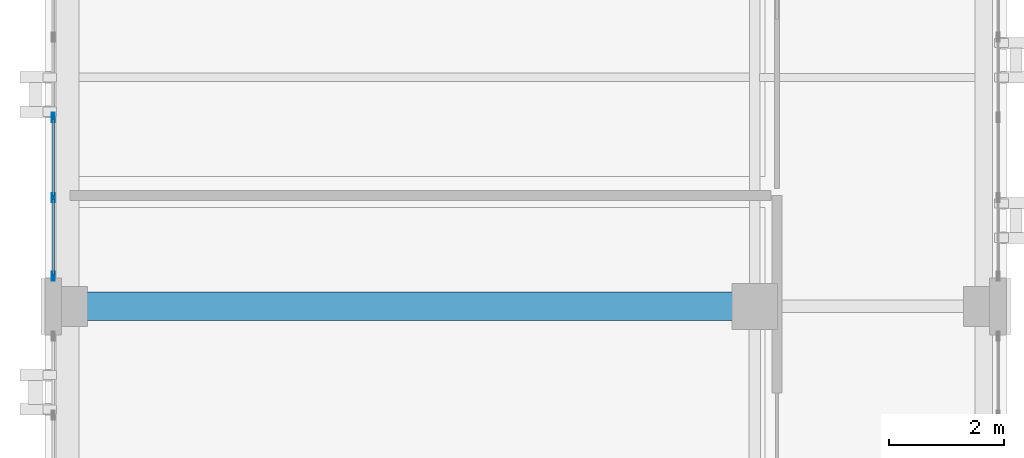
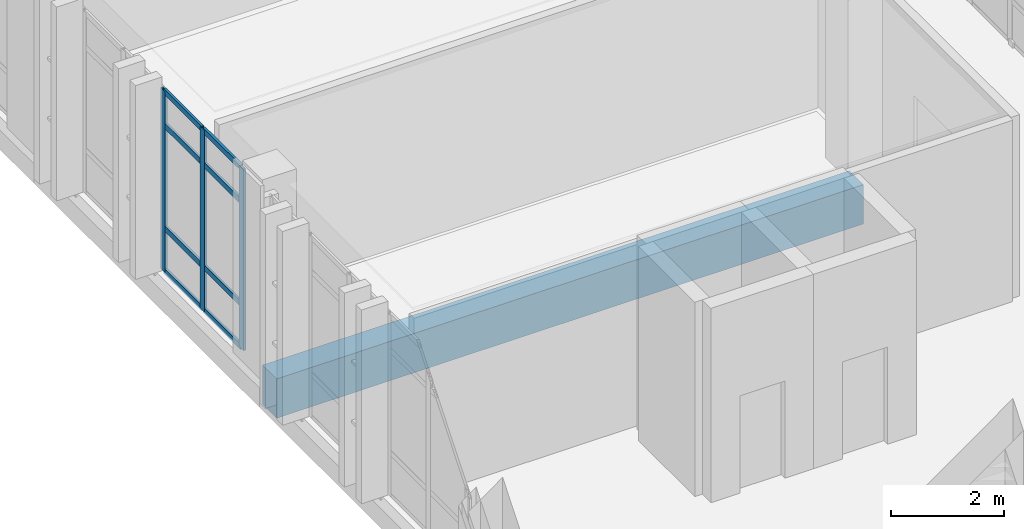
# One storey, part 30 of 165: 11 members, 1 beam, 1 element without a shape of its own.
"""IFC4 building model written with IfcOpenShell, lengths in metres."""

from ifc_helpers import new_model, si_unit, direction, frame, origin, origin_2d, place, context, subcontext, project, spatial, rectangle, hollow_rectangle, extrude, material, layer, layer_set, material_profile, profile_set, type_object, element, aggregate, save


model = new_model("IFC4")

# Units and contexts
model_context = context("Model", 3, precision=1e-05, world=origin(), true_north=direction((0.0, 1.0)))
body_context = subcontext(model_context, "Body", "Model", "MODEL_VIEW")
ifc_project = project(units=[si_unit("LENGTHUNIT", "METRE"), si_unit("AREAUNIT", "SQUARE_METRE"), si_unit("VOLUMEUNIT", "CUBIC_METRE"), si_unit("PLANEANGLEUNIT", "RADIAN"), si_unit("MASSUNIT", "GRAM", prefix="KILO")], contexts=[model_context])

# Site, building, storey
site_placement = place(None, origin())
site = spatial("IfcSite", under=ifc_project, at=site_placement, CompositionType="ELEMENT")
building_placement = place(site_placement, origin())
building = spatial("IfcBuilding", under=site, at=building_placement, Name="Qalavern Law Courts", CompositionType="ELEMENT")
storey_placement = place(building_placement, frame((0.0, 0.0, 14.39990234375)))
storey = spatial("IfcBuildingStorey", under=building, at=storey_placement, Name="L03", CompositionType="ELEMENT", Elevation=14.39990234375)

# Curtain wall, members
ifc_material_1 = material(Name="Anodised aluminium and insulated glazing", Category="aluminium")
ifc_layer = layer(ifc_material_1, 0.172119140625)
ifc_layer_set = layer_set([ifc_layer], Name="Anodised aluminium and insulated glazing")
curtain_wall_type = type_object("IfcCurtainWallType", Name="ENV-CW-COURT", PredefinedType="USERDEFINED", material=ifc_layer_set)
curtain_wall_placement = place(storey_placement, origin())
curtain_wall = element("IfcCurtainWall", 1, at=curtain_wall_placement, inside=storey, type_object=curtain_wall_type, Name="V3 unitised curtain wall L03 west 5", ObjectType="UNITISED CURTAIN WALL", PredefinedType="USERDEFINED")
ifc_material_2 = material(Name="Anodised aluminium", Category="aluminium")
ifc_material_profile_1 = material_profile(ifc_material_2, hollow_rectangle(XDim=0.048095703125, YDim=0.159912109375, WallThickness=0.00390625, at=origin_2d()), Name="ALU MULLION 48x160")
ifc_profile_set_1 = profile_set([ifc_material_profile_1], Name="Anodised aluminium")
member_type_1 = type_object("IfcMemberType", Name="ENV-CWM-48x160", PredefinedType="MULLION", material=ifc_profile_set_1)
member_1_placement = place(storey_placement, frame((2.1474609375, 60.699951171875, 0.0), z_axis=(0.0, 0.0, 1.0), x_axis=(1.0, 0.0, 0.0)))
member_1 = element("IfcMember", 2, at=member_1_placement, type_object=member_type_1, Name="CW-03 mullion 4", PredefinedType="MULLION", context=body_context, shape_type="SweptSolid", body=[
    extrude(hollow_rectangle(XDim=0.048095703125, YDim=0.159912109375, WallThickness=0.00390625, at=origin_2d()), origin(), (0.0, 0.0, 1.0), 3.920166015625),
])
member_2_placement = place(storey_placement, frame((2.1474609375, 59.300048828125, 0.0), z_axis=(0.0, 0.0, 1.0), x_axis=(1.0, 0.0, 0.0)))
member_2 = element("IfcMember", 3, at=member_2_placement, type_object=member_type_1, Name="CW-03 mullion 5", PredefinedType="MULLION", context=body_context, shape_type="SweptSolid", body=[
    extrude(hollow_rectangle(XDim=0.048095703125, YDim=0.159912109375, WallThickness=0.00390625, at=origin_2d()), origin(), (0.0, 0.0, 1.0), 3.920166015625),
])
member_3_placement = place(storey_placement, frame((2.1474609375, 57.924072265625, 0.0), z_axis=(0.0, 0.0, 1.0), x_axis=(1.0, 0.0, 0.0)))
member_3 = element("IfcMember", 4, at=member_3_placement, type_object=member_type_1, Name="CW-03 mullion 6", PredefinedType="MULLION", context=body_context, shape_type="SweptSolid", body=[
    extrude(hollow_rectangle(XDim=0.048095703125, YDim=0.159912109375, WallThickness=0.00390625, at=origin_2d()), origin(), (0.0, 0.0, 1.0), 3.920166015625),
])
ifc_material_profile_2 = material_profile(ifc_material_2, hollow_rectangle(XDim=0.048095703125, YDim=0.1201171875, WallThickness=0.00390625, at=origin_2d()), Name="ALU TRANSOM 48x120")
ifc_profile_set_2 = profile_set([ifc_material_profile_2], Name="Anodised aluminium")
member_type_2 = type_object("IfcMemberType", Name="ENV-CWT-48x120", PredefinedType="USERDEFINED", material=ifc_profile_set_2)
member_4_placement = place(storey_placement, frame((2.1474609375, 60.676025390625, 0.024169921875), z_axis=(0.0, -1.0, 0.0), x_axis=(1.0, 0.0, 0.0)))
member_4 = element("IfcMember", 5, at=member_4_placement, type_object=member_type_2, Name="CW-03 transom 4.1", ObjectType="TRANSOM", PredefinedType="USERDEFINED", context=body_context, shape_type="SweptSolid", body=[
    extrude(hollow_rectangle(XDim=0.048095703125, YDim=0.1201171875, WallThickness=0.00390625, at=origin_2d()), origin(), (0.0, 0.0, 1.0), 1.35205078125),
])
member_5_placement = place(storey_placement, frame((2.1474609375, 60.676025390625, 0.9501953125), z_axis=(0.0, -1.0, 0.0), x_axis=(1.0, 0.0, 0.0)))
member_5 = element("IfcMember", 6, at=member_5_placement, type_object=member_type_2, Name="CW-03 transom 4.2", ObjectType="TRANSOM", PredefinedType="USERDEFINED", context=body_context, shape_type="SweptSolid", body=[
    extrude(hollow_rectangle(XDim=0.048095703125, YDim=0.1201171875, WallThickness=0.00390625, at=origin_2d()), origin(), (0.0, 0.0, 1.0), 1.35205078125),
])
member_6_placement = place(storey_placement, frame((2.1474609375, 60.676025390625, 3.170166015625), z_axis=(0.0, -1.0, 0.0), x_axis=(1.0, 0.0, 0.0)))
member_6 = element("IfcMember", 7, at=member_6_placement, type_object=member_type_2, Name="CW-03 transom 4.3", ObjectType="TRANSOM", PredefinedType="USERDEFINED", context=body_context, shape_type="SweptSolid", body=[
    extrude(hollow_rectangle(XDim=0.048095703125, YDim=0.1201171875, WallThickness=0.00390625, at=origin_2d()), origin(), (0.0, 0.0, 1.0), 1.35205078125),
])
member_7_placement = place(storey_placement, frame((2.1474609375, 60.676025390625, 3.89599609375), z_axis=(0.0, -1.0, 0.0), x_axis=(1.0, 0.0, 0.0)))
member_7 = element("IfcMember", 8, at=member_7_placement, type_object=member_type_2, Name="CW-03 transom 4.4", ObjectType="TRANSOM", PredefinedType="USERDEFINED", context=body_context, shape_type="SweptSolid", body=[
    extrude(hollow_rectangle(XDim=0.048095703125, YDim=0.1201171875, WallThickness=0.00390625, at=origin_2d()), origin(), (0.0, 0.0, 1.0), 1.35205078125),
])
member_8_placement = place(storey_placement, frame((2.1474609375, 59.27587890625, 0.024169921875), z_axis=(0.0, -1.0, 0.0), x_axis=(1.0, 0.0, 0.0)))
member_8 = element("IfcMember", 9, at=member_8_placement, type_object=member_type_2, Name="CW-03 transom 5.1", ObjectType="TRANSOM", PredefinedType="USERDEFINED", context=body_context, shape_type="SweptSolid", body=[
    extrude(hollow_rectangle(XDim=0.048095703125, YDim=0.1201171875, WallThickness=0.00390625, at=origin_2d()), origin(), (0.0, 0.0, 1.0), 1.327880859375),
])
member_9_placement = place(storey_placement, frame((2.1474609375, 59.27587890625, 0.9501953125), z_axis=(0.0, -1.0, 0.0), x_axis=(1.0, 0.0, 0.0)))
member_9 = element("IfcMember", 10, at=member_9_placement, type_object=member_type_2, Name="CW-03 transom 5.2", ObjectType="TRANSOM", PredefinedType="USERDEFINED", context=body_context, shape_type="SweptSolid", body=[
    extrude(hollow_rectangle(XDim=0.048095703125, YDim=0.1201171875, WallThickness=0.00390625, at=origin_2d()), origin(), (0.0, 0.0, 1.0), 1.327880859375),
])
member_10_placement = place(storey_placement, frame((2.1474609375, 59.27587890625, 3.170166015625), z_axis=(0.0, -1.0, 0.0), x_axis=(1.0, 0.0, 0.0)))
member_10 = element("IfcMember", 11, at=member_10_placement, type_object=member_type_2, Name="CW-03 transom 5.3", ObjectType="TRANSOM", PredefinedType="USERDEFINED", context=body_context, shape_type="SweptSolid", body=[
    extrude(hollow_rectangle(XDim=0.048095703125, YDim=0.1201171875, WallThickness=0.00390625, at=origin_2d()), origin(), (0.0, 0.0, 1.0), 1.327880859375),
])
member_11_placement = place(storey_placement, frame((2.1474609375, 59.27587890625, 3.89599609375), z_axis=(0.0, -1.0, 0.0), x_axis=(1.0, 0.0, 0.0)))
member_11 = element("IfcMember", 12, at=member_11_placement, type_object=member_type_2, Name="CW-03 transom 5.4", ObjectType="TRANSOM", PredefinedType="USERDEFINED", context=body_context, shape_type="SweptSolid", body=[
    extrude(hollow_rectangle(XDim=0.048095703125, YDim=0.1201171875, WallThickness=0.00390625, at=origin_2d()), origin(), (0.0, 0.0, 1.0), 1.327880859375),
])
aggregate(curtain_wall, [member_1, member_2, member_3, member_4, member_5, member_6, member_7, member_8, member_9, member_10, member_11])

# Beam
ifc_material_3 = material(Name="Concrete C40/50", Category="concrete")
ifc_material_profile_3 = material_profile(ifc_material_3, rectangle(XDim=0.5, YDim=0.85009765625, at=origin_2d()), Name="RC 500x850")
ifc_profile_set_3 = profile_set([ifc_material_profile_3], Name="Concrete C40/50")
beam_type = type_object("IfcBeamType", Name="STR-BM-RC500x850", PredefinedType="BEAM", material=ifc_profile_set_3)
beam_placement = place(storey_placement, frame((2.39990234375, 57.39990234375, -0.7099609375), z_axis=(1.0, 0.0, 0.0), x_axis=(0.0, 1.0, 0.0)))
element("IfcBeam", 13, at=beam_placement, inside=storey, type_object=beam_type, Name="V3 X-beam 3-1 L03", PredefinedType="BEAM", context=body_context, shape_type="SweptSolid", body=[
    extrude(rectangle(XDim=0.5, YDim=0.85009765625, at=origin_2d()), origin(), (0.0, 0.0, 1.0), 12.0),
])

save(model, "model.ifc")
